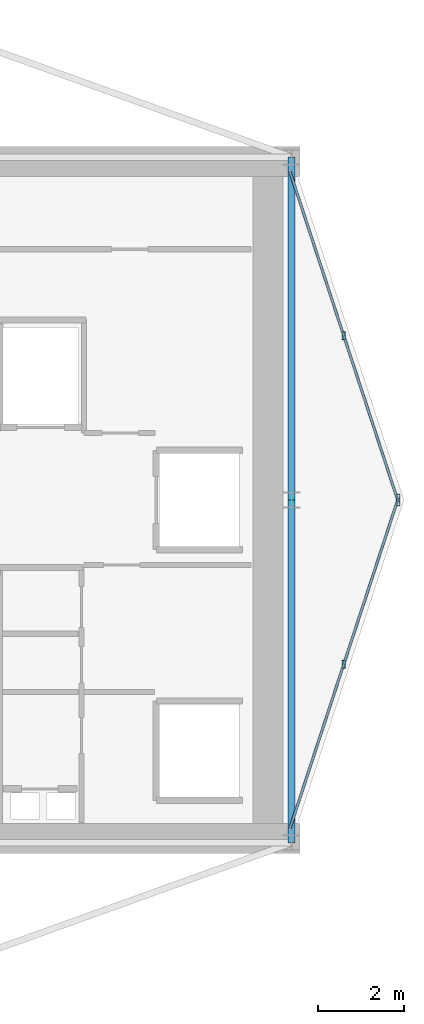
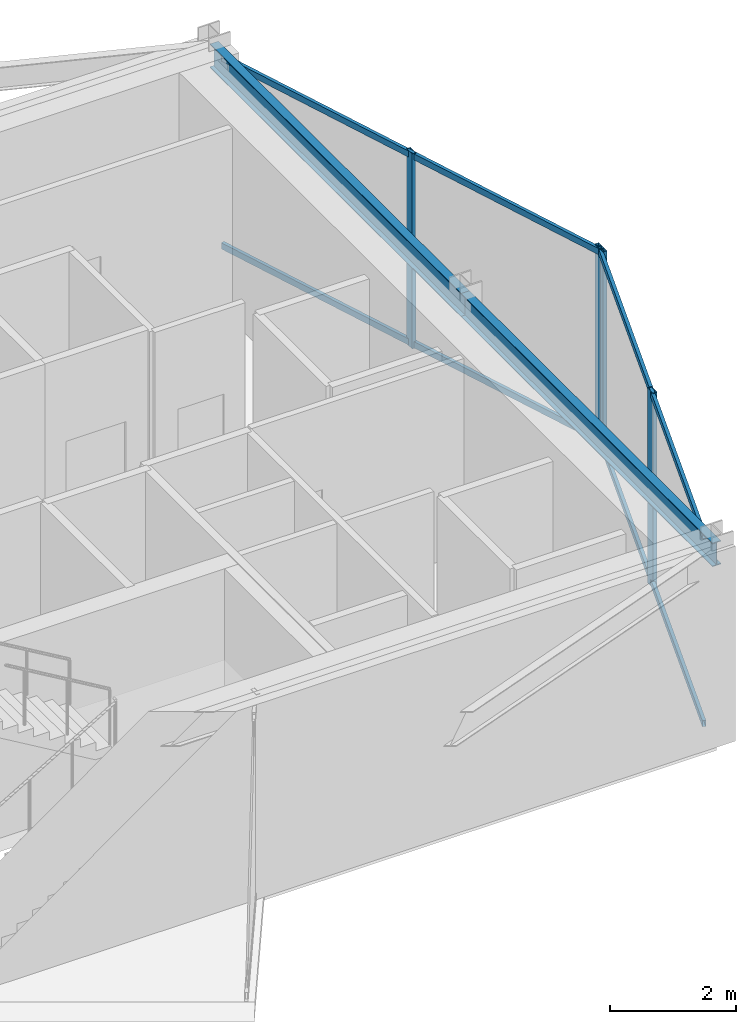
# One storey, part 15 of 23: 8 members, 2 beams, 2 elements without a shape of their own.
"""IFC4 building model written with IfcOpenShell, lengths in metres."""

import ifcopenshell
import ifcopenshell.guid

model = None  # the IFC model being written
_history = None  # IfcOwnerHistory: only IFC2X3 demands one
_inside = {}  # id of a spatial element -> (the spatial element, [elements in it])
_under = {}  # id of a project, library or spatial element -> (it, [spatial elements below it])
_declared = {}  # id of a project -> (the project, [libraries it declares])
_typed = {}  # id of a type object -> (the type object, [elements of that type])
_made_of = {}  # id of a material, layer set ... -> (it, [elements and type objects made of it])


def new_model(schema):
    """Start an empty IFC model of exactly this schema.

    Asked for "IFC4X3", IfcOpenShell would pick the latest addendum, in which some entities
    have other attributes; the version numbers below select the first issue.
    IFC2X3 requires an IfcOwnerHistory on every rooted entity: one is made here for all.
    """
    global model, _history
    if schema == "IFC4X3":
        model = ifcopenshell.file(schema_version=(4, 3, 0, 0))
    else:
        model = ifcopenshell.file(schema=schema)
    _inside.clear()
    _under.clear()
    _declared.clear()
    _typed.clear()
    _made_of.clear()
    _history = None
    if model.schema == "IFC2X3":
        org = make("IfcOrganization", Name="unknown")
        user = make(
            "IfcPersonAndOrganization",
            ThePerson=make("IfcPerson", FamilyName="unknown"),
            TheOrganization=org,
        )
        app = make(
            "IfcApplication",
            ApplicationDeveloper=org,
            Version="unknown",
            ApplicationFullName="unknown",
            ApplicationIdentifier="unknown",
        )
        _history = make(
            "IfcOwnerHistory",
            OwningUser=user,
            OwningApplication=app,
            ChangeAction="ADDED",
            CreationDate=0,
        )
    return model


def make(cls, **values):
    """One entity of the class cls with the attributes given. An attribute that is None is left unset."""
    return model.create_entity(
        cls, **{name: value for name, value in values.items() if value is not None}
    )


def rooted(cls, **values):
    """An entity with a GlobalId (a new one), such as an element, a storey or a relation."""
    return make(cls, GlobalId=ifcopenshell.guid.new(), OwnerHistory=_history, **values)


def si_unit(unit_type, name, prefix=None):
    """IfcSIUnit, for example si_unit("LENGTHUNIT", "METRE", prefix="MILLI")."""
    return make("IfcSIUnit", UnitType=unit_type, Prefix=prefix, Name=name)


def assignment(units):
    """IfcUnitAssignment: the units of a project."""
    return None if units is None else make("IfcUnitAssignment", Units=units)


def point(xyz):
    """IfcCartesianPoint."""
    return None if xyz is None else make("IfcCartesianPoint", Coordinates=xyz)


def direction(xyz):
    """IfcDirection."""
    return None if xyz is None else make("IfcDirection", DirectionRatios=xyz)


def frame(location, z_axis=None, x_axis=None):
    """IfcAxis2Placement3D, a coordinate frame: its origin and axes. An axis left out is left unset."""
    return make(
        "IfcAxis2Placement3D",
        Location=point(location),
        Axis=direction(z_axis),
        RefDirection=direction(x_axis),
    )


def frame_2d(location, x_axis=None):
    """IfcAxis2Placement2D, a coordinate frame in the plane: its origin and x axis."""
    return make(
        "IfcAxis2Placement2D", Location=point(location), RefDirection=direction(x_axis)
    )


def origin():
    """The frame at (0, 0, 0) with its axes left unset."""
    return frame((0.0, 0.0, 0.0))


def origin_2d():
    """The frame at (0, 0) in the plane with its x axis left unset."""
    return frame_2d((0.0, 0.0))


def place(relative_to, where):
    """IfcLocalPlacement: puts the frame where relative to a parent placement (None: the world)."""
    return make(
        "IfcLocalPlacement", PlacementRelTo=relative_to, RelativePlacement=where
    )


def context(
    kind, dimensions, precision=None, world=None, true_north=None, identifier=None
):
    """IfcGeometricRepresentationContext, for example the 3D "Model" context."""
    return make(
        "IfcGeometricRepresentationContext",
        ContextIdentifier=identifier,
        ContextType=kind,
        CoordinateSpaceDimension=dimensions,
        Precision=precision,
        WorldCoordinateSystem=world,
        TrueNorth=true_north,
    )


def subcontext(parent, identifier, kind, view, scale=None):
    """IfcGeometricRepresentationSubContext, for example "Body" below "Model"."""
    return make(
        "IfcGeometricRepresentationSubContext",
        ContextIdentifier=identifier,
        ContextType=kind,
        ParentContext=parent,
        TargetScale=scale,
        TargetView=view,
    )


def project(units=None, contexts=None):
    """IfcProject with its units and contexts."""
    return rooted(
        "IfcProject",
        Name="project",
        RepresentationContexts=contexts,
        UnitsInContext=assignment(units),
    )


def spatial(cls, under=None, at=None, **own):
    """A site, building, storey or space (cls), placed at a placement, below another one or the project."""
    s = rooted(cls, ObjectPlacement=at, **own)
    if under is not None:
        _under.setdefault(under.id(), (under, []))[1].append(s)
    return s


def profile(cls, at=None, kind="AREA", **sizes):
    """A parametric profile (cls). Its sizes go by their IFC names, for example OverallWidth=200.0."""
    return make(cls, ProfileType=kind, Position=at, **sizes)


def hollow_rectangle(**sizes):
    """IfcRectangleHollowProfileDef."""
    return profile("IfcRectangleHollowProfileDef", **sizes)


def i_section(**sizes):
    """IfcIShapeProfileDef."""
    return profile("IfcIShapeProfileDef", **sizes)


def extrude(swept, where, along, depth):
    """IfcExtrudedAreaSolid: the profile swept, set in the frame where, extruded along a direction by depth."""
    return make(
        "IfcExtrudedAreaSolid",
        SweptArea=swept,
        Position=where,
        ExtrudedDirection=direction(along),
        Depth=depth,
    )


def shape(context_of_items, identifier, shape_type, items):
    """IfcShapeRepresentation: the items that make up one representation, for example the "Body"."""
    return make(
        "IfcShapeRepresentation",
        ContextOfItems=context_of_items,
        RepresentationIdentifier=identifier,
        RepresentationType=shape_type,
        Items=items,
    )


def material(Name=None, Category=None):
    """IfcMaterial."""
    return make("IfcMaterial", Name=Name, Category=Category)


def layer(
    of_material, thickness, ventilated=None, Name=None, Category=None, Priority=None
):
    """IfcMaterialLayer: one layer of a wall or slab, of a material (None: an air gap)."""
    return make(
        "IfcMaterialLayer",
        Material=of_material,
        LayerThickness=thickness,
        IsVentilated=ventilated,
        Name=Name,
        Category=Category,
        Priority=Priority,
    )


def layer_set(layers, Name=None):
    """IfcMaterialLayerSet."""
    return make("IfcMaterialLayerSet", MaterialLayers=layers, LayerSetName=Name)


def material_profile(
    of_material, cross_section, Name=None, Category=None, Priority=None
):
    """IfcMaterialProfile: a cross section and its material."""
    return make(
        "IfcMaterialProfile",
        Name=Name,
        Material=of_material,
        Profile=cross_section,
        Priority=Priority,
        Category=Category,
    )


def profile_set(profiles, Name=None, composite=None):
    """IfcMaterialProfileSet."""
    return make(
        "IfcMaterialProfileSet",
        Name=Name,
        MaterialProfiles=profiles,
        CompositeProfile=composite,
    )


def made_of(thing, what):
    """Note that an element or type object is made of a material, layer set ...; save() writes the relation."""
    if what is not None:
        _made_of.setdefault(what.id(), (what, []))[1].append(thing)
    return thing


def type_object(cls, material=None, **own):
    """A type object (cls), such as IfcWallType, which elements share."""
    return made_of(rooted(cls, **own), material)


def element(
    cls,
    number,
    at=None,
    inside=None,
    cuts=None,
    type_object=None,
    material=None,
    context=None,
    identifier="Body",
    shape_type=None,
    held_by="IfcProductDefinitionShape",
    body=None,
    shapes=None,
    **own,
):
    """One element of the class cls, such as IfcWall. Its Tag is "e" and its number.

    at: its placement. inside: the storey or other place that contains it. cuts: it is an
    opening in that element (IfcRelVoidsElement). A single representation is given by context,
    identifier, shape_type and body (its items); several are given by shapes. held_by: the class
    of the entity that holds the representations. save() writes the other relations.
    """
    e = rooted(cls, Tag="e%d" % number, ObjectPlacement=at, **own)
    if body is not None:
        shapes = [shape(context, identifier, shape_type, body)]
    if shapes is not None:
        e.Representation = make(held_by, Representations=shapes)
    if inside is not None:
        _inside.setdefault(inside.id(), (inside, []))[1].append(e)
    if cuts is not None:
        rooted(
            "IfcRelVoidsElement", RelatingBuildingElement=cuts, RelatedOpeningElement=e
        )
    if type_object is not None:
        _typed.setdefault(type_object.id(), (type_object, []))[1].append(e)
    return made_of(e, material)


def aggregate(whole, parts):
    """IfcRelAggregates: a whole, such as a stair, and the parts it consists of."""
    return rooted("IfcRelAggregates", RelatingObject=whole, RelatedObjects=parts)


def save(model, path):
    """Write the relations noted so far, then the file.

    IfcRelAggregates (storeys below a building ...), IfcRelContainedInSpatialStructure (elements
    in a storey), IfcRelDefinesByType, IfcRelAssociatesMaterial and IfcRelDeclares: one each for
    every whole, place, type object, material and project.
    """
    for whole, parts in _under.values():
        aggregate(whole, parts)
    for where, things in _inside.values():
        rooted(
            "IfcRelContainedInSpatialStructure",
            RelatedElements=things,
            RelatingStructure=where,
        )
    for kind, things in _typed.values():
        rooted("IfcRelDefinesByType", RelatedObjects=things, RelatingType=kind)
    for what, things in _made_of.values():
        rooted("IfcRelAssociatesMaterial", RelatedObjects=things, RelatingMaterial=what)
    for by, libraries in _declared.values():
        rooted("IfcRelDeclares", RelatingContext=by, RelatedDefinitions=libraries)
    model.write(path)


model = new_model("IFC4")

# Units and contexts
model_context = context("Model", 3, precision=1e-05, world=origin(), true_north=direction((0.0, 1.0)))
body_context = subcontext(model_context, "Body", "Model", "MODEL_VIEW")
ifc_project = project(units=[si_unit("LENGTHUNIT", "METRE"), si_unit("AREAUNIT", "SQUARE_METRE"), si_unit("VOLUMEUNIT", "CUBIC_METRE"), si_unit("PLANEANGLEUNIT", "RADIAN"), si_unit("MASSUNIT", "GRAM", prefix="KILO")], contexts=[model_context])

# Site, building, storey
site_placement = place(None, origin())
site = spatial("IfcSite", under=ifc_project, at=site_placement, CompositionType="ELEMENT")
building_placement = place(site_placement, origin())
building = spatial("IfcBuilding", under=site, at=building_placement, Name="Veymaron Broadcast Tower", CompositionType="ELEMENT")
storey_placement = place(building_placement, frame((0.0, 0.0, 191.85009765625)))
storey = spatial("IfcBuildingStorey", under=building, at=storey_placement, Name="L44", CompositionType="ELEMENT", Elevation=191.85009765625)

# Beams
ifc_material_1 = material(Name="Structural steel ASTM A992 Gr 50", Category="steel")
ifc_material_profile_1 = material_profile(ifc_material_1, i_section(OverallWidth=0.154052734375, OverallDepth=0.458984375, WebThickness=0.009033203125, FlangeThickness=0.015380859375, at=origin_2d()), Name="W460X68")
ifc_profile_set_1 = profile_set([ifc_material_profile_1], Name="Structural steel ASTM A992 Gr 50")
beam_type = type_object("IfcBeamType", Name="BM-SP2", PredefinedType="SPANDREL", material=ifc_profile_set_1)
for number, where, z_axis, x_axis, name in (
    (1, (54.60009765625, 16.0, 3.560302734375), (0.0, 1.0, 0.0), (-1.0, 0.0, 0.0), "L44 primary structural floor girder"),
    (2, (54.60009765625, 24.0, 3.560302734375), (0.0, 1.0, 0.0), (-1.0, 0.0, 0.0), "L44 primary structural floor girder"),
):
    element("IfcBeam", number, at=place(storey_placement, frame(where, z_axis=z_axis, x_axis=x_axis)), inside=storey, type_object=beam_type, Name=name, PredefinedType="SPANDREL", context=body_context, shape_type="SweptSolid", body=[
        extrude(i_section(OverallWidth=0.154052734375, OverallDepth=0.458984375, WebThickness=0.009033203125, FlangeThickness=0.015380859375, at=origin_2d()), origin(), (0.0, 0.0, 1.0), 8.0),
    ])

# Curtain wall, members
ifc_material_2 = material(Name="Anodised aluminium AA 6063-T6 and laminated low-E dark glass", Category="aluminium")
ifc_layer = layer(ifc_material_2, 0.179931640625)
ifc_layer_set = layer_set([ifc_layer], Name="Anodised aluminium AA 6063-T6 and laminated low-E dark glass")
curtain_wall_type = type_object("IfcCurtainWallType", Name="CW-SYS-05", PredefinedType="NOTDEFINED", material=ifc_layer_set)
curtain_wall_1_placement = place(storey_placement, origin())
curtain_wall_1 = element("IfcCurtainWall", 3, at=curtain_wall_1_placement, inside=storey, type_object=curtain_wall_type, Name="L44 dark-glass curtain wall CW-L44-E2-1", PredefinedType="NOTDEFINED")
ifc_material_3 = material(Name="Anodised aluminium AA 6063-T6", Category="aluminium")
ifc_material_profile_2 = material_profile(ifc_material_3, hollow_rectangle(XDim=0.074951171875, YDim=0.179931640625, WallThickness=0.0048828125, at=origin_2d()), Name="AL180X75X5")
ifc_profile_set_2 = profile_set([ifc_material_profile_2], Name="Anodised aluminium AA 6063-T6")
member_type_1 = type_object("IfcMemberType", Name="CW-MUL-02", PredefinedType="MULLION", material=ifc_profile_set_2)
member_1_placement = place(storey_placement, frame((55.819580078125, 20.166015625, 0.0), z_axis=(0.0, 0.0, 1.0), x_axis=(1.0, 0.0, 0.0)))
member_1 = element("IfcMember", 4, at=member_1_placement, type_object=member_type_1, Name="CW-L44-E2-1 mullion 1", PredefinedType="MULLION", context=body_context, shape_type="SweptSolid", body=[
    extrude(hollow_rectangle(XDim=0.074951171875, YDim=0.179931640625, WallThickness=0.0048828125, at=origin_2d()), origin(), (0.0, 0.0, 1.0), 3.789794921875),
])
member_2_placement = place(storey_placement, frame((57.092041015625, 24.043701171875, 0.0), z_axis=(0.0, 0.0, 1.0), x_axis=(1.0, 0.0, 0.0)))
member_2 = element("IfcMember", 5, at=member_2_placement, type_object=member_type_1, Name="CW-L44-E2-1 mullion 2", PredefinedType="MULLION", context=body_context, shape_type="SweptSolid", body=[
    extrude(hollow_rectangle(XDim=0.074951171875, YDim=0.179931640625, WallThickness=0.0048828125, at=origin_2d()), origin(), (0.0, 0.0, 1.0), 3.789794921875),
])

curtain_wall_2_placement = place(storey_placement, origin())
curtain_wall_2 = element("IfcCurtainWall", 6, at=curtain_wall_2_placement, inside=storey, type_object=curtain_wall_type, Name="L44 dark-glass curtain wall CW-L44-E3-1", PredefinedType="NOTDEFINED")
member_3_placement = place(storey_placement, frame((57.092041015625, 23.956298828125, 0.0), z_axis=(0.0, 0.0, 1.0), x_axis=(1.0, 0.0, 0.0)))
member_3 = element("IfcMember", 7, at=member_3_placement, type_object=member_type_1, Name="CW-L44-E3-1 mullion 0", PredefinedType="MULLION", context=body_context, shape_type="SweptSolid", body=[
    extrude(hollow_rectangle(XDim=0.074951171875, YDim=0.179931640625, WallThickness=0.0048828125, at=origin_2d()), origin(), (0.0, 0.0, 1.0), 3.789794921875),
])
member_4_placement = place(storey_placement, frame((55.819580078125, 27.833984375, 0.0), z_axis=(0.0, 0.0, 1.0), x_axis=(1.0, 0.0, 0.0)))
member_4 = element("IfcMember", 8, at=member_4_placement, type_object=member_type_1, Name="CW-L44-E3-1 mullion 1", PredefinedType="MULLION", context=body_context, shape_type="SweptSolid", body=[
    extrude(hollow_rectangle(XDim=0.074951171875, YDim=0.179931640625, WallThickness=0.0048828125, at=origin_2d()), origin(), (0.0, 0.0, 1.0), 3.789794921875),
])

# Member
ifc_material_profile_3 = material_profile(ifc_material_3, hollow_rectangle(XDim=0.06005859375, YDim=0.1201171875, WallThickness=0.00390625, at=origin_2d()), Name="AL120X60X4")
ifc_profile_set_3 = profile_set([ifc_material_profile_3], Name="Anodised aluminium AA 6063-T6")
member_type_2 = type_object("IfcMemberType", Name="CW-TRN-02", PredefinedType="USERDEFINED", material=ifc_profile_set_3)
member_5_placement = place(storey_placement, frame((54.56298828125, 16.3359375, 0.06982421875), z_axis=(0.31176358302, 0.950159706735, 0.0), x_axis=(-0.950159706735, 0.31176358302, 0.0)))
member_5 = element("IfcMember", 9, at=member_5_placement, type_object=member_type_2, Name="CW-L44-E2-1 transom B", ObjectType="TRANSOM", PredefinedType="USERDEFINED", context=body_context, shape_type="SweptSolid", body=[
    extrude(hollow_rectangle(XDim=0.06005859375, YDim=0.1201171875, WallThickness=0.00390625, at=origin_2d()), origin(), (0.0, 0.0, 1.0), 8.06201171875),
])

member_6_placement = place(storey_placement, frame((54.56298828125, 16.3359375, 3.719970703125), z_axis=(0.31176358302, 0.950159706735, 0.0), x_axis=(-0.950159706735, 0.31176358302, 0.0)))
member_6 = element("IfcMember", 10, at=member_6_placement, type_object=member_type_2, Name="CW-L44-E2-1 transom T", ObjectType="TRANSOM", PredefinedType="USERDEFINED", context=body_context, shape_type="SweptSolid", body=[
    extrude(hollow_rectangle(XDim=0.06005859375, YDim=0.1201171875, WallThickness=0.00390625, at=origin_2d()), origin(), (0.0, 0.0, 1.0), 8.06201171875),
])

aggregate(curtain_wall_1, [member_1, member_2, member_5, member_6])

member_7_placement = place(storey_placement, frame((57.076416015625, 24.00390625, 0.06982421875), z_axis=(-0.31176358302, 0.950159706735, 0.0), x_axis=(-0.950159706735, -0.31176358302, 0.0)))
member_7 = element("IfcMember", 11, at=member_7_placement, type_object=member_type_2, Name="CW-L44-E3-1 transom B", ObjectType="TRANSOM", PredefinedType="USERDEFINED", context=body_context, shape_type="SweptSolid", body=[
    extrude(hollow_rectangle(XDim=0.06005859375, YDim=0.1201171875, WallThickness=0.00390625, at=origin_2d()), origin(), (0.0, 0.0, 1.0), 8.06201171875),
])

member_8_placement = place(storey_placement, frame((57.076416015625, 24.00390625, 3.719970703125), z_axis=(-0.31176358302, 0.950159706735, 0.0), x_axis=(-0.950159706735, -0.31176358302, 0.0)))
member_8 = element("IfcMember", 12, at=member_8_placement, type_object=member_type_2, Name="CW-L44-E3-1 transom T", ObjectType="TRANSOM", PredefinedType="USERDEFINED", context=body_context, shape_type="SweptSolid", body=[
    extrude(hollow_rectangle(XDim=0.06005859375, YDim=0.1201171875, WallThickness=0.00390625, at=origin_2d()), origin(), (0.0, 0.0, 1.0), 8.06201171875),
])

aggregate(curtain_wall_2, [member_3, member_4, member_7, member_8])

save(model, "model.ifc")
